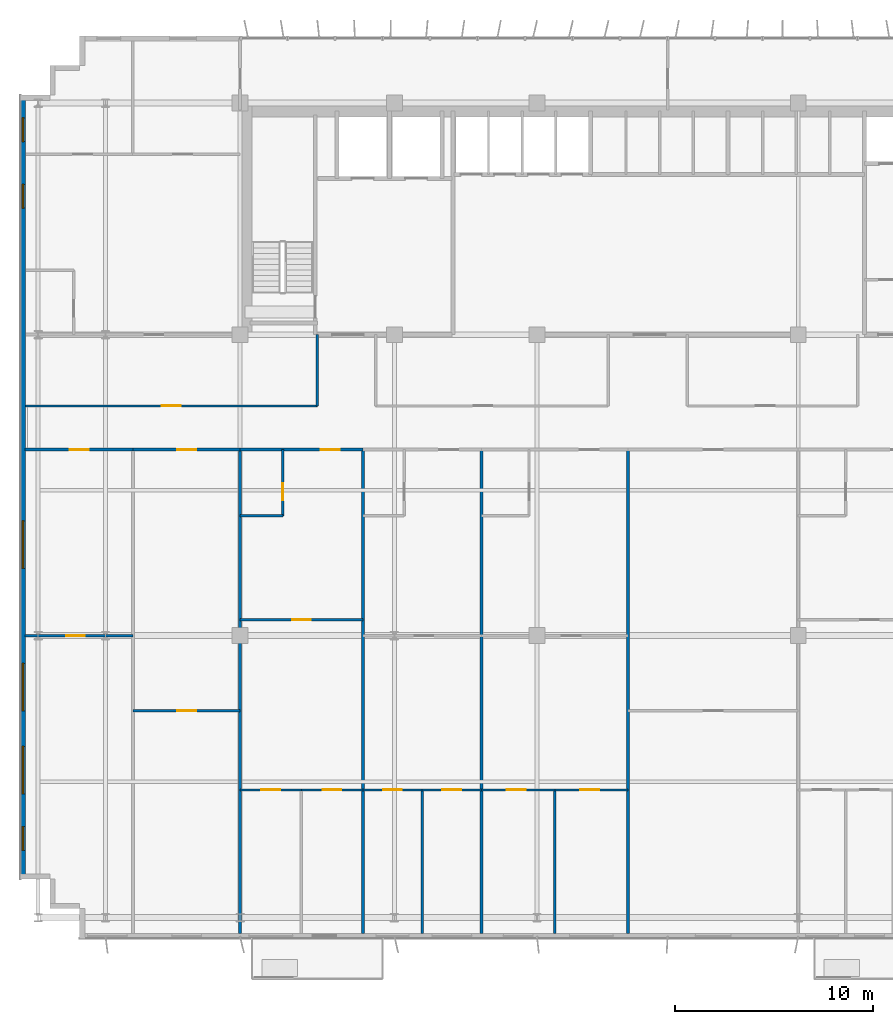
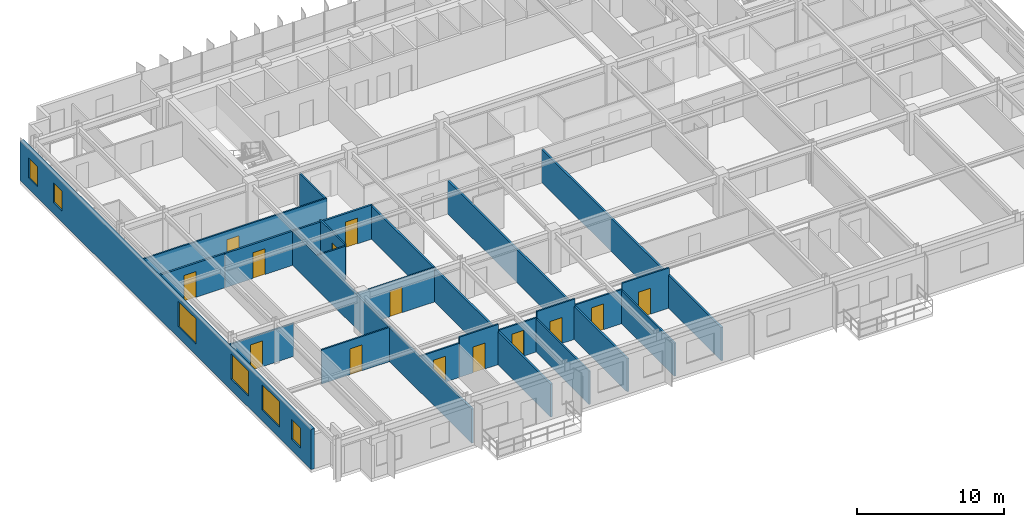
# One storey, part 14 of 22: 23 walls, 14 doors, 6 windows, 20 openings.
"""IFC4 building model written with IfcOpenShell, lengths in metres."""

from ifc_helpers import new_model, si_unit, direction, frame, frame_2d, origin, place, context, subcontext, project, spatial, rectangle, extrude, source, transform, mapped, material, layer, layer_set, type_object, element, fill, save


model = new_model("IFC4")

# Units and contexts
model_context = context("Model", 3, precision=1e-05, world=origin(), true_north=direction((0.0, 1.0)))
body_context = subcontext(model_context, "Body", "Model", "MODEL_VIEW")
ifc_project = project(units=[si_unit("LENGTHUNIT", "METRE"), si_unit("AREAUNIT", "SQUARE_METRE"), si_unit("VOLUMEUNIT", "CUBIC_METRE"), si_unit("PLANEANGLEUNIT", "RADIAN"), si_unit("MASSUNIT", "GRAM", prefix="KILO")], contexts=[model_context])

# Site, building, storey
site_placement = place(None, origin())
site = spatial("IfcSite", under=ifc_project, at=site_placement, CompositionType="ELEMENT")
building_placement = place(site_placement, origin())
building = spatial("IfcBuilding", under=site, at=building_placement, Name="Trelvane Seafront Commons", CompositionType="ELEMENT")
storey_placement = place(building_placement, frame((0.0, 0.0, 114.10009765625)))
storey = spatial("IfcBuildingStorey", under=building, at=storey_placement, Name="L29", CompositionType="ELEMENT", Elevation=114.10009765625)

# Wall, openings, windows
ifc_material_1 = material(Name="Precast concrete C40/50", Category="concrete")
ifc_layer_1 = layer(ifc_material_1, 0.260009765625, Name="ARCH-WALL-EXT260")
ifc_layer_set_1 = layer_set([ifc_layer_1], Name="Precast concrete C40/50")
wall_type_1 = type_object("IfcWallType", Name="ARCH-WALL-EXT260", PredefinedType="SOLIDWALL", material=ifc_layer_set_1)
wall_1_placement = place(storey_placement, frame((4.6298828125, 5.89990234375, 0.0), z_axis=(0.0, 0.0, 1.0), x_axis=(0.0, 1.0, 0.0)))
wall_1 = element("IfcWall", 1, at=wall_1_placement, inside=storey, type_object=wall_type_1, Name="EW-L29-00543", PredefinedType="SOLIDWALL", context=body_context, shape_type="SweptSolid", body=[
    extrude(rectangle(XDim=39.60009765625, YDim=0.260009765625, at=frame_2d((19.800048828125, 0.0))), origin(), (0.0, 0.0, 1.0), 3.33984375),
])
opening_1_placement = place(wall_1_placement, frame((1.449951171875, 0.0, 0.919921875)))
opening_1 = element("IfcOpeningElement", 2, at=opening_1_placement, cuts=wall_1, Name="Opening W05", PredefinedType="OPENING", context=body_context, shape_type="SweptSolid", body=[
    extrude(rectangle(XDim=1.199951171875, YDim=1.64990234375, at=frame_2d((0.60009765625, 0.824951171875))), frame((0.0, 0.139892578125, 0.0), z_axis=(0.0, -1.0, 0.0), x_axis=(1.0, 0.0, 0.0)), (0.0, 0.0, 1.0), 0.280029296875),
])
opening_2_placement = place(wall_1_placement, frame((4.300048828125, 0.0, 0.919921875)))
opening_2 = element("IfcOpeningElement", 3, at=opening_2_placement, cuts=wall_1, Name="Opening W08", PredefinedType="OPENING", context=body_context, shape_type="SweptSolid", body=[
    extrude(rectangle(XDim=2.39990234375, YDim=2.10009765625, at=frame_2d((1.199951171875, 1.050048828125))), frame((0.0, 0.139892578125, 0.0), z_axis=(0.0, -1.0, 0.0), x_axis=(1.0, 0.0, 0.0)), (0.0, 0.0, 1.0), 0.280029296875),
])
opening_3_placement = place(wall_1_placement, frame((8.5, 0.0, 0.919921875)))
opening_3 = element("IfcOpeningElement", 4, at=opening_3_placement, cuts=wall_1, Name="Opening W08", PredefinedType="OPENING", context=body_context, shape_type="SweptSolid", body=[
    extrude(rectangle(XDim=2.39990234375, YDim=2.10009765625, at=frame_2d((1.199951171875, 1.050048828125))), frame((0.0, 0.139892578125, 0.0), z_axis=(0.0, -1.0, 0.0), x_axis=(1.0, 0.0, 0.0)), (0.0, 0.0, 1.0), 0.280029296875),
])
opening_4_placement = place(wall_1_placement, frame((15.699951171875, 0.0, 0.919921875)))
opening_4 = element("IfcOpeningElement", 5, at=opening_4_placement, cuts=wall_1, Name="Opening W08", PredefinedType="OPENING", context=body_context, shape_type="SweptSolid", body=[
    extrude(rectangle(XDim=2.39990234375, YDim=2.10009765625, at=frame_2d((1.199951171875, 1.050048828125))), frame((0.0, 0.139892578125, 0.0), z_axis=(0.0, -1.0, 0.0), x_axis=(1.0, 0.0, 0.0)), (0.0, 0.0, 1.0), 0.280029296875),
])
opening_5_placement = place(wall_1_placement, frame((33.89990234375, 0.0, 0.919921875)))
opening_5 = element("IfcOpeningElement", 6, at=opening_5_placement, cuts=wall_1, Name="Opening W05", PredefinedType="OPENING", context=body_context, shape_type="SweptSolid", body=[
    extrude(rectangle(XDim=1.199951171875, YDim=1.64990234375, at=frame_2d((0.60009765625, 0.824951171875))), frame((0.0, 0.139892578125, 0.0), z_axis=(0.0, -1.0, 0.0), x_axis=(1.0, 0.0, 0.0)), (0.0, 0.0, 1.0), 0.280029296875),
])
opening_6_placement = place(wall_1_placement, frame((37.25, 0.0, 0.919921875)))
opening_6 = element("IfcOpeningElement", 7, at=opening_6_placement, cuts=wall_1, Name="Opening W05", PredefinedType="OPENING", context=body_context, shape_type="SweptSolid", body=[
    extrude(rectangle(XDim=1.199951171875, YDim=1.64990234375, at=frame_2d((0.60009765625, 0.824951171875))), frame((0.0, 0.139892578125, 0.0), z_axis=(0.0, -1.0, 0.0), x_axis=(1.0, 0.0, 0.0)), (0.0, 0.0, 1.0), 0.280029296875),
])
ifc_material_2 = material(Name="Low-E coastal double glazing", Category="glass")
window_type_1 = type_object("IfcWindowType", Name="ARCH-WIN-W08", PartitioningType="SINGLE_PANEL", PredefinedType="WINDOW", material=ifc_material_2)
shared_shape_1 = source(origin(), body_context, "Body", "SweptSolid", [
    extrude(rectangle(XDim=2.39990234375, YDim=2.10009765625, at=frame_2d((1.199951171875, 1.050048828125))), frame((0.0, 0.030029296875, 0.0), z_axis=(0.0, -1.0, 0.0), x_axis=(1.0, 0.0, 0.0)), (0.0, 0.0, 1.0), 0.06005859375),
])
window_1_placement = place(opening_2_placement, origin())
window_1 = element("IfcWindow", 8, at=window_1_placement, inside=storey, type_object=window_type_1, Name="WIN-L29-EW-00640", OverallHeight=2.10009765625, OverallWidth=2.39990234375, PartitioningType="SINGLE_PANEL", PredefinedType="WINDOW", context=body_context, shape_type="MappedRepresentation", body=[
    mapped(shared_shape_1, transform((0.0, 0.0, 0.0), x_axis=(1.0, 0.0, 0.0), y_axis=(0.0, 1.0, 0.0), z_axis=(0.0, 0.0, 1.0), scale=1.0)),
])
fill(opening_2, window_1)
window_2_placement = place(opening_3_placement, origin())
window_2 = element("IfcWindow", 9, at=window_2_placement, inside=storey, type_object=window_type_1, Name="WIN-L29-EW-00641", OverallHeight=2.10009765625, OverallWidth=2.39990234375, PartitioningType="SINGLE_PANEL", PredefinedType="WINDOW", context=body_context, shape_type="MappedRepresentation", body=[
    mapped(shared_shape_1, transform((0.0, 0.0, 0.0), x_axis=(1.0, 0.0, 0.0), y_axis=(0.0, 1.0, 0.0), z_axis=(0.0, 0.0, 1.0), scale=1.0)),
])
fill(opening_3, window_2)
window_3_placement = place(opening_4_placement, origin())
window_3 = element("IfcWindow", 10, at=window_3_placement, inside=storey, type_object=window_type_1, Name="WIN-L29-EW-00642", OverallHeight=2.10009765625, OverallWidth=2.39990234375, PartitioningType="SINGLE_PANEL", PredefinedType="WINDOW", context=body_context, shape_type="MappedRepresentation", body=[
    mapped(shared_shape_1, transform((0.0, 0.0, 0.0), x_axis=(1.0, 0.0, 0.0), y_axis=(0.0, 1.0, 0.0), z_axis=(0.0, 0.0, 1.0), scale=1.0)),
])
fill(opening_4, window_3)
window_type_2 = type_object("IfcWindowType", Name="ARCH-WIN-W05", PartitioningType="SINGLE_PANEL", PredefinedType="WINDOW", material=ifc_material_2)
shared_shape_2 = source(origin(), body_context, "Body", "SweptSolid", [
    extrude(rectangle(XDim=1.199951171875, YDim=1.64990234375, at=frame_2d((0.60009765625, 0.824951171875))), frame((0.0, 0.030029296875, 0.0), z_axis=(0.0, -1.0, 0.0), x_axis=(1.0, 0.0, 0.0)), (0.0, 0.0, 1.0), 0.06005859375),
])
window_4_placement = place(opening_1_placement, origin())
window_4 = element("IfcWindow", 11, at=window_4_placement, inside=storey, type_object=window_type_2, Name="WIN-L29-EW-00639", OverallHeight=1.64990234375, OverallWidth=1.199951171875, PartitioningType="SINGLE_PANEL", PredefinedType="WINDOW", context=body_context, shape_type="MappedRepresentation", body=[
    mapped(shared_shape_2, transform((0.0, 0.0, 0.0), x_axis=(1.0, 0.0, 0.0), y_axis=(0.0, 1.0, 0.0), z_axis=(0.0, 0.0, 1.0), scale=1.0)),
])
fill(opening_1, window_4)
window_5_placement = place(opening_5_placement, origin())
window_5 = element("IfcWindow", 12, at=window_5_placement, inside=storey, type_object=window_type_2, Name="WIN-L29-EW-00643", OverallHeight=1.64990234375, OverallWidth=1.199951171875, PartitioningType="SINGLE_PANEL", PredefinedType="WINDOW", context=body_context, shape_type="MappedRepresentation", body=[
    mapped(shared_shape_2, transform((0.0, 0.0, 0.0), x_axis=(1.0, 0.0, 0.0), y_axis=(0.0, 1.0, 0.0), z_axis=(0.0, 0.0, 1.0), scale=1.0)),
])
fill(opening_5, window_5)
window_6_placement = place(opening_6_placement, origin())
window_6 = element("IfcWindow", 13, at=window_6_placement, inside=storey, type_object=window_type_2, Name="WIN-L29-EW-00644", OverallHeight=1.64990234375, OverallWidth=1.199951171875, PartitioningType="SINGLE_PANEL", PredefinedType="WINDOW", context=body_context, shape_type="MappedRepresentation", body=[
    mapped(shared_shape_2, transform((0.0, 0.0, 0.0), x_axis=(1.0, 0.0, 0.0), y_axis=(0.0, 1.0, 0.0), z_axis=(0.0, 0.0, 1.0), scale=1.0)),
])
fill(opening_6, window_6)

# Wall, opening, door
ifc_material_3 = material(Name="Gypsum Drywall Acoustic Partition")
ifc_layer_2 = layer(ifc_material_3, 0.1201171875, Name="ARCH-WALL-PART120")
ifc_layer_set_2 = layer_set([ifc_layer_2], Name="Gypsum Drywall Acoustic Partition")
wall_type_2 = type_object("IfcWallType", Name="ARCH-WALL-PART120", PredefinedType="PARTITIONING", material=ifc_layer_set_2)
wall_2_placement = place(storey_placement, frame((4.75, 29.800048828125, 0.0), z_axis=(0.0, 0.0, 1.0), x_axis=(1.0, 0.0, 0.0)))
wall_2 = element("IfcWall", 14, at=wall_2_placement, inside=storey, type_object=wall_type_2, Name="W-L29-CORR-N-W-038", PredefinedType="PARTITIONING", context=body_context, shape_type="SweptSolid", body=[
    extrude(rectangle(XDim=14.75, YDim=0.1201171875, at=frame_2d((7.375, 0.0))), origin(), (0.0, 0.0, 1.0), 2.83984375),
])
opening_7_placement = place(wall_2_placement, frame((6.89990234375, 0.0, 0.0)))
opening_7 = element("IfcOpeningElement", 15, at=opening_7_placement, cuts=wall_2, Name="Opening D-L29-18", PredefinedType="OPENING", context=body_context, shape_type="SweptSolid", body=[
    extrude(rectangle(XDim=0.949951171875, YDim=2.14990234375, at=frame_2d((0.47509765625, 1.074951171875))), frame((0.0, 0.070068359375, 0.0), z_axis=(0.0, -1.0, 0.0), x_axis=(1.0, 0.0, 0.0)), (0.0, 0.0, 1.0), 0.14013671875),
])
ifc_material_4 = material(Name="Acoustic timber door leaf", Category="wood")
door_type_1 = type_object("IfcDoorType", Name="ARCH-DR-INT950", OperationType="NOTDEFINED", PredefinedType="DOOR", material=ifc_material_4)
shared_shape_3 = source(origin(), body_context, "Body", "SweptSolid", [
    extrude(rectangle(XDim=0.949951171875, YDim=2.14990234375, at=frame_2d((0.47509765625, 1.074951171875))), frame((0.0, 0.02490234375, 0.0), z_axis=(0.0, -1.0, 0.0), x_axis=(1.0, 0.0, 0.0)), (0.0, 0.0, 1.0), 0.050048828125),
])
door_1_placement = place(opening_7_placement, origin())
door_1 = element("IfcDoor", 16, at=door_1_placement, inside=storey, type_object=door_type_1, Name="L29 Door 18", OperationType="SINGLE_SWING_RIGHT", OverallHeight=2.14990234375, OverallWidth=0.949951171875, PredefinedType="DOOR", context=body_context, shape_type="MappedRepresentation", body=[
    mapped(shared_shape_3, transform((0.0, 0.0, 0.0), x_axis=(1.0, 0.0, 0.0), y_axis=(0.0, 1.0, 0.0), z_axis=(0.0, 0.0, 1.0), scale=1.0)),
])
fill(opening_7, door_1)

# Wall
wall_3_placement = place(storey_placement, frame((19.5, 29.800048828125, 0.0), z_axis=(0.0, 0.0, 1.0), x_axis=(0.0, 1.0, 0.0)))
element("IfcWall", 17, at=wall_3_placement, inside=storey, type_object=wall_type_2, Name="W-L29-N-SPUR-W1-043", PredefinedType="PARTITIONING", context=body_context, shape_type="SweptSolid", body=[
    extrude(rectangle(XDim=3.599853515625, YDim=0.1201171875, at=frame_2d((1.7998046875, 0.0))), origin(), (0.0, 0.0, 1.0), 2.751953125),
])

# Wall, opening, door
wall_4_placement = place(storey_placement, frame((4.7451171875, 18.199951171875, 0.0), z_axis=(0.0, 0.0, 1.0), x_axis=(1.0, 0.0, 0.0)))
wall_4 = element("IfcWall", 18, at=wall_4_placement, inside=storey, type_object=wall_type_2, Name="W-L29-U1-DIV-074", PredefinedType="PARTITIONING", context=body_context, shape_type="SweptSolid", body=[
    extrude(rectangle(XDim=5.454833984375, YDim=0.1201171875, at=frame_2d((2.7275390625, 0.0))), origin(), (0.0, 0.0, 1.0), 2.751953125),
])
opening_8_placement = place(wall_4_placement, frame((2.06494140625, 0.0, 0.0)))
opening_8 = element("IfcOpeningElement", 19, at=opening_8_placement, cuts=wall_4, Name="Opening D-L29-35", PredefinedType="OPENING", context=body_context, shape_type="SweptSolid", body=[
    extrude(rectangle(XDim=0.949951171875, YDim=2.14990234375, at=frame_2d((0.47509765625, 1.074951171875))), frame((0.0, 0.070068359375, 0.0), z_axis=(0.0, -1.0, 0.0), x_axis=(1.0, 0.0, 0.0)), (0.0, 0.0, 1.0), 0.14013671875),
])
door_2_placement = place(opening_8_placement, origin())
door_2 = element("IfcDoor", 20, at=door_2_placement, inside=storey, type_object=door_type_1, Name="L29 Door 35", OperationType="SINGLE_SWING_LEFT", OverallHeight=2.14990234375, OverallWidth=0.949951171875, PredefinedType="DOOR", context=body_context, shape_type="MappedRepresentation", body=[
    mapped(shared_shape_3, transform((0.0, 0.0, 0.0), x_axis=(1.0, 0.0, 0.0), y_axis=(0.0, 1.0, 0.0), z_axis=(0.0, 0.0, 1.0), scale=1.0)),
])
fill(opening_8, door_2)

wall_5_placement = place(storey_placement, frame((10.199951171875, 14.39990234375, 0.0), z_axis=(0.0, 0.0, 1.0), x_axis=(1.0, 0.0, 0.0)))
wall_5 = element("IfcWall", 21, at=wall_5_placement, inside=storey, type_object=wall_type_2, Name="W-L29-U2-DIV-076", PredefinedType="PARTITIONING", context=body_context, shape_type="SweptSolid", body=[
    extrude(rectangle(XDim=5.400146484375, YDim=0.1201171875, at=frame_2d((2.7001953125, 0.0))), origin(), (0.0, 0.0, 1.0), 2.83984375),
])
opening_9_placement = place(wall_5_placement, frame((2.22509765625, 0.0, 0.0)))
opening_9 = element("IfcOpeningElement", 22, at=opening_9_placement, cuts=wall_5, Name="Opening D-L29-37", PredefinedType="OPENING", context=body_context, shape_type="SweptSolid", body=[
    extrude(rectangle(XDim=0.949951171875, YDim=2.14990234375, at=frame_2d((0.47509765625, 1.074951171875))), frame((0.0, 0.070068359375, 0.0), z_axis=(0.0, -1.0, 0.0), x_axis=(1.0, 0.0, 0.0)), (0.0, 0.0, 1.0), 0.14013671875),
])
door_3_placement = place(opening_9_placement, origin())
door_3 = element("IfcDoor", 23, at=door_3_placement, inside=storey, type_object=door_type_1, Name="L29 Door 37", OperationType="SINGLE_SWING_LEFT", OverallHeight=2.14990234375, OverallWidth=0.949951171875, PredefinedType="DOOR", context=body_context, shape_type="MappedRepresentation", body=[
    mapped(shared_shape_3, transform((0.0, 0.0, 0.0), x_axis=(1.0, 0.0, 0.0), y_axis=(0.0, 1.0, 0.0), z_axis=(0.0, 0.0, 1.0), scale=1.0)),
])
fill(opening_9, door_3)

wall_6_placement = place(storey_placement, frame((15.60009765625, 19.0, 0.0), z_axis=(0.0, 0.0, 1.0), x_axis=(1.0, 0.0, 0.0)))
wall_6 = element("IfcWall", 24, at=wall_6_placement, inside=storey, type_object=wall_type_2, Name="W-L29-U3-KL-077", PredefinedType="PARTITIONING", context=body_context, shape_type="SweptSolid", body=[
    extrude(rectangle(XDim=6.199951171875, YDim=0.1201171875, at=frame_2d((3.10009765625, 0.0))), origin(), (0.0, 0.0, 1.0), 2.83984375),
])
opening_10_placement = place(wall_6_placement, frame((2.625, 0.0, 0.0)))
opening_10 = element("IfcOpeningElement", 25, at=opening_10_placement, cuts=wall_6, Name="Opening D-L29-38", PredefinedType="OPENING", context=body_context, shape_type="SweptSolid", body=[
    extrude(rectangle(XDim=0.949951171875, YDim=2.14990234375, at=frame_2d((0.47509765625, 1.074951171875))), frame((0.0, 0.070068359375, 0.0), z_axis=(0.0, -1.0, 0.0), x_axis=(1.0, 0.0, 0.0)), (0.0, 0.0, 1.0), 0.14013671875),
])
door_4_placement = place(opening_10_placement, origin())
door_4 = element("IfcDoor", 26, at=door_4_placement, inside=storey, type_object=door_type_1, Name="L29 Door 38", OperationType="SINGLE_SWING_RIGHT", OverallHeight=2.14990234375, OverallWidth=0.949951171875, PredefinedType="DOOR", context=body_context, shape_type="MappedRepresentation", body=[
    mapped(shared_shape_3, transform((0.0, 0.0, 0.0), x_axis=(1.0, 0.0, 0.0), y_axis=(0.0, 1.0, 0.0), z_axis=(0.0, 0.0, 1.0), scale=1.0)),
])
fill(opening_10, door_4)

wall_7_placement = place(storey_placement, frame((17.758056640625, 24.25, 0.0), z_axis=(0.0, 0.0, 1.0), x_axis=(0.0, 1.0, 0.0)))
wall_7 = element("IfcWall", 27, at=wall_7_placement, inside=storey, type_object=wall_type_2, Name="W-L29-U3-BE-078", PredefinedType="PARTITIONING", context=body_context, shape_type="SweptSolid", body=[
    extrude(rectangle(XDim=3.35009765625, YDim=0.1201171875, at=frame_2d((1.675048828125, 0.0))), origin(), (0.0, 0.0, 1.0), 2.989990234375),
])
opening_11_placement = place(wall_7_placement, frame((0.800048828125, 0.0, 0.0)))
opening_11 = element("IfcOpeningElement", 28, at=opening_11_placement, cuts=wall_7, Name="Opening D-L29-39", PredefinedType="OPENING", context=body_context, shape_type="SweptSolid", body=[
    extrude(rectangle(XDim=0.85009765625, YDim=2.10009765625, at=frame_2d((0.425048828125, 1.050048828125))), frame((0.0, 0.070068359375, 0.0), z_axis=(0.0, -1.0, 0.0), x_axis=(1.0, 0.0, 0.0)), (0.0, 0.0, 1.0), 0.14013671875),
])
door_type_2 = type_object("IfcDoorType", Name="ARCH-DR-INT850", OperationType="NOTDEFINED", PredefinedType="DOOR", material=ifc_material_4)
shared_shape_4 = source(origin(), body_context, "Body", "SweptSolid", [
    extrude(rectangle(XDim=0.85009765625, YDim=2.10009765625, at=frame_2d((0.425048828125, 1.050048828125))), frame((0.0, 0.02490234375, 0.0), z_axis=(0.0, -1.0, 0.0), x_axis=(1.0, 0.0, 0.0)), (0.0, 0.0, 1.0), 0.050048828125),
])
door_5_placement = place(opening_11_placement, origin())
door_5 = element("IfcDoor", 29, at=door_5_placement, inside=storey, type_object=door_type_2, Name="L29 Door 39", OperationType="SINGLE_SWING_LEFT", OverallHeight=2.10009765625, OverallWidth=0.85009765625, PredefinedType="DOOR", context=body_context, shape_type="MappedRepresentation", body=[
    mapped(shared_shape_4, transform((0.0, 0.0, 0.0), x_axis=(1.0, 0.0, 0.0), y_axis=(0.0, 1.0, 0.0), z_axis=(0.0, 0.0, 1.0), scale=1.0)),
])
fill(opening_11, door_5)

# Wall
wall_8_placement = place(storey_placement, frame((15.60009765625, 24.25, 0.0), z_axis=(0.0, 0.0, 1.0), x_axis=(1.0, 0.0, 0.0)))
element("IfcWall", 30, at=wall_8_placement, inside=storey, type_object=wall_type_2, Name="W-L29-U3-BS-079", PredefinedType="PARTITIONING", context=body_context, shape_type="SweptSolid", body=[
    extrude(rectangle(XDim=2.157958984375, YDim=0.1201171875, at=frame_2d((1.0791015625, 0.0))), origin(), (0.0, 0.0, 1.0), 2.83984375),
])

# Wall, opening, door
wall_9_placement = place(storey_placement, frame((15.60009765625, 10.39990234375, 0.0), z_axis=(0.0, 0.0, 1.0), x_axis=(1.0, 0.0, 0.0)))
wall_9 = element("IfcWall", 31, at=wall_9_placement, inside=storey, type_object=wall_type_2, Name="W-L29-U3-YM-1-081", PredefinedType="PARTITIONING", context=body_context, shape_type="SweptSolid", body=[
    extrude(rectangle(XDim=3.099853515625, YDim=0.1201171875, at=frame_2d((1.5498046875, 0.0))), origin(), (0.0, 0.0, 1.0), 2.83984375),
])
opening_12_placement = place(wall_9_placement, frame((1.074951171875, 0.0, 0.0)))
opening_12 = element("IfcOpeningElement", 32, at=opening_12_placement, cuts=wall_9, Name="Opening D-L29-41", PredefinedType="OPENING", context=body_context, shape_type="SweptSolid", body=[
    extrude(rectangle(XDim=0.949951171875, YDim=2.14990234375, at=frame_2d((0.47509765625, 1.074951171875))), frame((0.0, 0.070068359375, 0.0), z_axis=(0.0, -1.0, 0.0), x_axis=(1.0, 0.0, 0.0)), (0.0, 0.0, 1.0), 0.14013671875),
])
door_6_placement = place(opening_12_placement, origin())
door_6 = element("IfcDoor", 33, at=door_6_placement, inside=storey, type_object=door_type_1, Name="L29 Door 41", OperationType="SINGLE_SWING_LEFT", OverallHeight=2.14990234375, OverallWidth=0.949951171875, PredefinedType="DOOR", context=body_context, shape_type="MappedRepresentation", body=[
    mapped(shared_shape_3, transform((0.0, 0.0, 0.0), x_axis=(1.0, 0.0, 0.0), y_axis=(0.0, 1.0, 0.0), z_axis=(0.0, 0.0, 1.0), scale=1.0)),
])
fill(opening_12, door_6)

wall_10_placement = place(storey_placement, frame((18.699951171875, 10.39990234375, 0.0), z_axis=(0.0, 0.0, 1.0), x_axis=(1.0, 0.0, 0.0)))
wall_10 = element("IfcWall", 34, at=wall_10_placement, inside=storey, type_object=wall_type_2, Name="W-L29-U3-YM-2-082", PredefinedType="PARTITIONING", context=body_context, shape_type="SweptSolid", body=[
    extrude(rectangle(XDim=3.10009765625, YDim=0.1201171875, at=frame_2d((1.550048828125, 0.0))), origin(), (0.0, 0.0, 1.0), 3.33984375),
])
opening_13_placement = place(wall_10_placement, frame((1.074951171875, 0.0, 0.0)))
opening_13 = element("IfcOpeningElement", 35, at=opening_13_placement, cuts=wall_10, Name="Opening D-L29-42", PredefinedType="OPENING", context=body_context, shape_type="SweptSolid", body=[
    extrude(rectangle(XDim=0.949951171875, YDim=2.14990234375, at=frame_2d((0.47509765625, 1.074951171875))), frame((0.0, 0.070068359375, 0.0), z_axis=(0.0, -1.0, 0.0), x_axis=(1.0, 0.0, 0.0)), (0.0, 0.0, 1.0), 0.14013671875),
])
door_7_placement = place(opening_13_placement, origin())
door_7 = element("IfcDoor", 36, at=door_7_placement, inside=storey, type_object=door_type_1, Name="L29 Door 42", OperationType="SINGLE_SWING_RIGHT", OverallHeight=2.14990234375, OverallWidth=0.949951171875, PredefinedType="DOOR", context=body_context, shape_type="MappedRepresentation", body=[
    mapped(shared_shape_3, transform((0.0, 0.0, 0.0), x_axis=(1.0, 0.0, 0.0), y_axis=(0.0, 1.0, 0.0), z_axis=(0.0, 0.0, 1.0), scale=1.0)),
])
fill(opening_13, door_7)

wall_11_placement = place(storey_placement, frame((21.800048828125, 10.39990234375, 0.0), z_axis=(0.0, 0.0, 1.0), x_axis=(1.0, 0.0, 0.0)))
wall_11 = element("IfcWall", 37, at=wall_11_placement, inside=storey, type_object=wall_type_2, Name="W-L29-U4-YM-1-088", PredefinedType="PARTITIONING", context=body_context, shape_type="SweptSolid", body=[
    extrude(rectangle(XDim=3.0, YDim=0.1201171875, at=frame_2d((1.5, 0.0))), origin(), (0.0, 0.0, 1.0), 2.83984375),
])
opening_14_placement = place(wall_11_placement, frame((1.02490234375, 0.0, 0.0)))
opening_14 = element("IfcOpeningElement", 38, at=opening_14_placement, cuts=wall_11, Name="Opening D-L29-46", PredefinedType="OPENING", context=body_context, shape_type="SweptSolid", body=[
    extrude(rectangle(XDim=0.949951171875, YDim=2.14990234375, at=frame_2d((0.47509765625, 1.074951171875))), frame((0.0, 0.070068359375, 0.0), z_axis=(0.0, -1.0, 0.0), x_axis=(1.0, 0.0, 0.0)), (0.0, 0.0, 1.0), 0.14013671875),
])
door_8_placement = place(opening_14_placement, origin())
door_8 = element("IfcDoor", 39, at=door_8_placement, inside=storey, type_object=door_type_1, Name="L29 Door 46", OperationType="SINGLE_SWING_RIGHT", OverallHeight=2.14990234375, OverallWidth=0.949951171875, PredefinedType="DOOR", context=body_context, shape_type="MappedRepresentation", body=[
    mapped(shared_shape_3, transform((0.0, 0.0, 0.0), x_axis=(1.0, 0.0, 0.0), y_axis=(0.0, 1.0, 0.0), z_axis=(0.0, 0.0, 1.0), scale=1.0)),
])
fill(opening_14, door_8)

wall_12_placement = place(storey_placement, frame((24.800048828125, 10.39990234375, 0.0), z_axis=(0.0, 0.0, 1.0), x_axis=(1.0, 0.0, 0.0)))
wall_12 = element("IfcWall", 40, at=wall_12_placement, inside=storey, type_object=wall_type_2, Name="W-L29-U4-YM-2-089", PredefinedType="PARTITIONING", context=body_context, shape_type="SweptSolid", body=[
    extrude(rectangle(XDim=3.0, YDim=0.1201171875, at=frame_2d((1.5, 0.0))), origin(), (0.0, 0.0, 1.0), 3.33984375),
])
opening_15_placement = place(wall_12_placement, frame((1.02490234375, 0.0, 0.0)))
opening_15 = element("IfcOpeningElement", 41, at=opening_15_placement, cuts=wall_12, Name="Opening D-L29-47", PredefinedType="OPENING", context=body_context, shape_type="SweptSolid", body=[
    extrude(rectangle(XDim=0.949951171875, YDim=2.14990234375, at=frame_2d((0.47509765625, 1.074951171875))), frame((0.0, 0.070068359375, 0.0), z_axis=(0.0, -1.0, 0.0), x_axis=(1.0, 0.0, 0.0)), (0.0, 0.0, 1.0), 0.14013671875),
])
door_9_placement = place(opening_15_placement, origin())
door_9 = element("IfcDoor", 42, at=door_9_placement, inside=storey, type_object=door_type_1, Name="L29 Door 47", OperationType="SINGLE_SWING_LEFT", OverallHeight=2.14990234375, OverallWidth=0.949951171875, PredefinedType="DOOR", context=body_context, shape_type="MappedRepresentation", body=[
    mapped(shared_shape_3, transform((0.0, 0.0, 0.0), x_axis=(1.0, 0.0, 0.0), y_axis=(0.0, 1.0, 0.0), z_axis=(0.0, 0.0, 1.0), scale=1.0)),
])
fill(opening_15, door_9)

# Wall
wall_13_placement = place(storey_placement, frame((24.800048828125, 3.14501953125, 0.0), z_axis=(0.0, 0.0, 1.0), x_axis=(0.0, 1.0, 0.0)))
element("IfcWall", 43, at=wall_13_placement, inside=storey, type_object=wall_type_2, Name="W-L29-U4-BDV-1-090", PredefinedType="PARTITIONING", context=body_context, shape_type="SweptSolid", body=[
    extrude(rectangle(XDim=7.2548828125, YDim=0.1201171875, at=frame_2d((3.62744140625, 0.0))), origin(), (0.0, 0.0, 1.0), 2.751953125),
])

# Wall, opening, door
wall_14_placement = place(storey_placement, frame((27.800048828125, 10.39990234375, 0.0), z_axis=(0.0, 0.0, 1.0), x_axis=(1.0, 0.0, 0.0)))
wall_14 = element("IfcWall", 44, at=wall_14_placement, inside=storey, type_object=wall_type_2, Name="W-L29-U5-YM-1-095", PredefinedType="PARTITIONING", context=body_context, shape_type="SweptSolid", body=[
    extrude(rectangle(XDim=3.699951171875, YDim=0.1201171875, at=frame_2d((1.85009765625, 0.0))), origin(), (0.0, 0.0, 1.0), 2.83984375),
])
opening_16_placement = place(wall_14_placement, frame((1.284912109375, 0.0, 0.0)))
opening_16 = element("IfcOpeningElement", 45, at=opening_16_placement, cuts=wall_14, Name="Opening D-L29-51", PredefinedType="OPENING", context=body_context, shape_type="SweptSolid", body=[
    extrude(rectangle(XDim=0.949951171875, YDim=2.14990234375, at=frame_2d((0.47509765625, 1.074951171875))), frame((0.0, 0.070068359375, 0.0), z_axis=(0.0, -1.0, 0.0), x_axis=(1.0, 0.0, 0.0)), (0.0, 0.0, 1.0), 0.14013671875),
])
door_10_placement = place(opening_16_placement, origin())
door_10 = element("IfcDoor", 46, at=door_10_placement, inside=storey, type_object=door_type_1, Name="L29 Door 51", OperationType="SINGLE_SWING_LEFT", OverallHeight=2.14990234375, OverallWidth=0.949951171875, PredefinedType="DOOR", context=body_context, shape_type="MappedRepresentation", body=[
    mapped(shared_shape_3, transform((0.0, 0.0, 0.0), x_axis=(1.0, 0.0, 0.0), y_axis=(0.0, 1.0, 0.0), z_axis=(0.0, 0.0, 1.0), scale=1.0)),
])
fill(opening_16, door_10)

wall_15_placement = place(storey_placement, frame((31.5, 10.39990234375, 0.0), z_axis=(0.0, 0.0, 1.0), x_axis=(1.0, 0.0, 0.0)))
wall_15 = element("IfcWall", 47, at=wall_15_placement, inside=storey, type_object=wall_type_2, Name="W-L29-U5-YM-2-096", PredefinedType="PARTITIONING", context=body_context, shape_type="SweptSolid", body=[
    extrude(rectangle(XDim=3.699951171875, YDim=0.1201171875, at=frame_2d((1.85009765625, 0.0))), origin(), (0.0, 0.0, 1.0), 3.33984375),
])
opening_17_placement = place(wall_15_placement, frame((1.284912109375, 0.0, 0.0)))
opening_17 = element("IfcOpeningElement", 48, at=opening_17_placement, cuts=wall_15, Name="Opening D-L29-52", PredefinedType="OPENING", context=body_context, shape_type="SweptSolid", body=[
    extrude(rectangle(XDim=0.949951171875, YDim=2.14990234375, at=frame_2d((0.47509765625, 1.074951171875))), frame((0.0, 0.070068359375, 0.0), z_axis=(0.0, -1.0, 0.0), x_axis=(1.0, 0.0, 0.0)), (0.0, 0.0, 1.0), 0.14013671875),
])
door_11_placement = place(opening_17_placement, origin())
door_11 = element("IfcDoor", 49, at=door_11_placement, inside=storey, type_object=door_type_1, Name="L29 Door 52", OperationType="SINGLE_SWING_RIGHT", OverallHeight=2.14990234375, OverallWidth=0.949951171875, PredefinedType="DOOR", context=body_context, shape_type="MappedRepresentation", body=[
    mapped(shared_shape_3, transform((0.0, 0.0, 0.0), x_axis=(1.0, 0.0, 0.0), y_axis=(0.0, 1.0, 0.0), z_axis=(0.0, 0.0, 1.0), scale=1.0)),
])
fill(opening_17, door_11)

# Walls
wall_16_placement = place(storey_placement, frame((31.5, 3.14501953125, 0.0), z_axis=(0.0, 0.0, 1.0), x_axis=(0.0, 1.0, 0.0)))
element("IfcWall", 50, at=wall_16_placement, inside=storey, type_object=wall_type_2, Name="W-L29-U5-BDV-1-097", PredefinedType="PARTITIONING", context=body_context, shape_type="SweptSolid", body=[
    extrude(rectangle(XDim=7.2548828125, YDim=0.1201171875, at=frame_2d((3.62744140625, 0.0))), origin(), (0.0, 0.0, 1.0), 2.751953125),
])
ifc_layer_3 = layer(ifc_material_3, 0.14990234375, Name="ARCH-WALL-PART150")
ifc_layer_set_3 = layer_set([ifc_layer_3], Name="Gypsum Drywall Acoustic Partition")
wall_type_3 = type_object("IfcWallType", Name="ARCH-WALL-PART150", PredefinedType="PARTITIONING", material=ifc_layer_set_3)
wall_17_placement = place(storey_placement, frame((15.60009765625, 3.14501953125, 0.0), z_axis=(0.0, 0.0, 1.0), x_axis=(0.0, 1.0, 0.0)))
element("IfcWall", 51, at=wall_17_placement, inside=storey, type_object=wall_type_3, Name="W-L29-PW-2-065", PredefinedType="PARTITIONING", context=body_context, shape_type="SweptSolid", body=[
    extrude(rectangle(XDim=24.455078125, YDim=0.14990234375, at=frame_2d((12.2275390625, 0.0))), origin(), (0.0, 0.0, 1.0), 2.83984375),
])
for number, where, z_axis, x_axis, name in (
    (52, (21.800048828125, 3.14501953125, 0.0), (0.0, 0.0, 1.0), (0.0, 1.0, 0.0), "W-L29-PW-3-066"),
    (53, (27.800048828125, 3.14501953125, 0.0), (0.0, 0.0, 1.0), (0.0, 1.0, 0.0), "W-L29-PW-4-067"),
    (54, (35.199951171875, 3.14501953125, 0.0), (0.0, 0.0, 1.0), (0.0, 1.0, 0.0), "W-L29-PW-5-068"),
):
    element("IfcWall", number, at=place(storey_placement, frame(where, z_axis=z_axis, x_axis=x_axis)), inside=storey, type_object=wall_type_3, Name=name, PredefinedType="PARTITIONING", context=body_context, shape_type="SweptSolid", body=[
        extrude(rectangle(XDim=24.455078125, YDim=0.14990234375, at=frame_2d((12.2275390625, 0.0))), origin(), (0.0, 0.0, 1.0), 2.751953125),
    ])

# Wall, opening, door
wall_18_placement = place(storey_placement, frame((4.7451171875, 27.60009765625, 0.0), z_axis=(0.0, 0.0, 1.0), x_axis=(1.0, 0.0, 0.0)))
wall_18 = element("IfcWall", 55, at=wall_18_placement, inside=storey, type_object=wall_type_3, Name="W-L29-CS-BAY-1-073", PredefinedType="PARTITIONING", context=body_context, shape_type="SweptSolid", body=[
    extrude(rectangle(XDim=5.454833984375, YDim=0.14990234375, at=frame_2d((2.7275390625, 0.0))), origin(), (0.0, 0.0, 1.0), 2.83984375),
])
opening_18_placement = place(wall_18_placement, frame((2.251953125, 0.0, 0.0)))
opening_18 = element("IfcOpeningElement", 56, at=opening_18_placement, cuts=wall_18, Name="Opening FD-L29-34", PredefinedType="OPENING", context=body_context, shape_type="SweptSolid", body=[
    extrude(rectangle(XDim=0.949951171875, YDim=2.14990234375, at=frame_2d((0.47509765625, 1.074951171875))), frame((0.0, 0.0849609375, 0.0), z_axis=(0.0, -1.0, 0.0), x_axis=(1.0, 0.0, 0.0)), (0.0, 0.0, 1.0), 0.169921875),
])
ifc_material_5 = material(Name="Powder-coated aluminium frame", Category="aluminium")
door_type_3 = type_object("IfcDoorType", Name="ARCH-DR-FD60-950", OperationType="NOTDEFINED", PredefinedType="DOOR", material=ifc_material_5)
door_12_placement = place(opening_18_placement, origin())
door_12 = element("IfcDoor", 57, at=door_12_placement, inside=storey, type_object=door_type_3, Name="L29 Bay 01 Entrance Door", OperationType="SINGLE_SWING_RIGHT", OverallHeight=2.14990234375, OverallWidth=0.949951171875, PredefinedType="DOOR", context=body_context, shape_type="MappedRepresentation", body=[
    mapped(shared_shape_3, transform((0.0, 0.0, 0.0), x_axis=(1.0, 0.0, 0.0), y_axis=(0.0, 1.0, 0.0), z_axis=(0.0, 0.0, 1.0), scale=1.0)),
])
fill(opening_18, door_12)

wall_19_placement = place(storey_placement, frame((10.199951171875, 27.60009765625, 0.0), z_axis=(0.0, 0.0, 1.0), x_axis=(1.0, 0.0, 0.0)))
wall_19 = element("IfcWall", 58, at=wall_19_placement, inside=storey, type_object=wall_type_3, Name="W-L29-CS-BAY-2-075", PredefinedType="PARTITIONING", context=body_context, shape_type="SweptSolid", body=[
    extrude(rectangle(XDim=5.400146484375, YDim=0.14990234375, at=frame_2d((2.7001953125, 0.0))), origin(), (0.0, 0.0, 1.0), 2.83984375),
])
opening_19_placement = place(wall_19_placement, frame((2.22509765625, 0.0, 0.0)))
opening_19 = element("IfcOpeningElement", 59, at=opening_19_placement, cuts=wall_19, Name="Opening FD-L29-36", PredefinedType="OPENING", context=body_context, shape_type="SweptSolid", body=[
    extrude(rectangle(XDim=0.949951171875, YDim=2.14990234375, at=frame_2d((0.47509765625, 1.074951171875))), frame((0.0, 0.0849609375, 0.0), z_axis=(0.0, -1.0, 0.0), x_axis=(1.0, 0.0, 0.0)), (0.0, 0.0, 1.0), 0.169921875),
])
door_13_placement = place(opening_19_placement, origin())
door_13 = element("IfcDoor", 60, at=door_13_placement, inside=storey, type_object=door_type_3, Name="L29 Bay 02 Entrance Door", OperationType="SINGLE_SWING_RIGHT", OverallHeight=2.14990234375, OverallWidth=0.949951171875, PredefinedType="DOOR", context=body_context, shape_type="MappedRepresentation", body=[
    mapped(shared_shape_3, transform((0.0, 0.0, 0.0), x_axis=(1.0, 0.0, 0.0), y_axis=(0.0, 1.0, 0.0), z_axis=(0.0, 0.0, 1.0), scale=1.0)),
])
fill(opening_19, door_13)

wall_20_placement = place(storey_placement, frame((15.60009765625, 27.60009765625, 0.0), z_axis=(0.0, 0.0, 1.0), x_axis=(1.0, 0.0, 0.0)))
wall_20 = element("IfcWall", 61, at=wall_20_placement, inside=storey, type_object=wall_type_3, Name="W-L29-CS-BAY-3-080", PredefinedType="PARTITIONING", context=body_context, shape_type="SweptSolid", body=[
    extrude(rectangle(XDim=6.199951171875, YDim=0.14990234375, at=frame_2d((3.10009765625, 0.0))), origin(), (0.0, 0.0, 1.0), 2.83984375),
])
opening_20_placement = place(wall_20_placement, frame((4.0859375, 0.0, 0.0)))
opening_20 = element("IfcOpeningElement", 62, at=opening_20_placement, cuts=wall_20, Name="Opening FD-L29-40", PredefinedType="OPENING", context=body_context, shape_type="SweptSolid", body=[
    extrude(rectangle(XDim=0.949951171875, YDim=2.14990234375, at=frame_2d((0.47509765625, 1.074951171875))), frame((0.0, 0.0849609375, 0.0), z_axis=(0.0, -1.0, 0.0), x_axis=(1.0, 0.0, 0.0)), (0.0, 0.0, 1.0), 0.169921875),
])
door_14_placement = place(opening_20_placement, origin())
door_14 = element("IfcDoor", 63, at=door_14_placement, inside=storey, type_object=door_type_3, Name="L29 Unit 03 Entrance Door", OperationType="SINGLE_SWING_RIGHT", OverallHeight=2.14990234375, OverallWidth=0.949951171875, PredefinedType="DOOR", context=body_context, shape_type="MappedRepresentation", body=[
    mapped(shared_shape_3, transform((0.0, 0.0, 0.0), x_axis=(1.0, 0.0, 0.0), y_axis=(0.0, 1.0, 0.0), z_axis=(0.0, 0.0, 1.0), scale=1.0)),
])
fill(opening_20, door_14)

save(model, "model.ifc")
